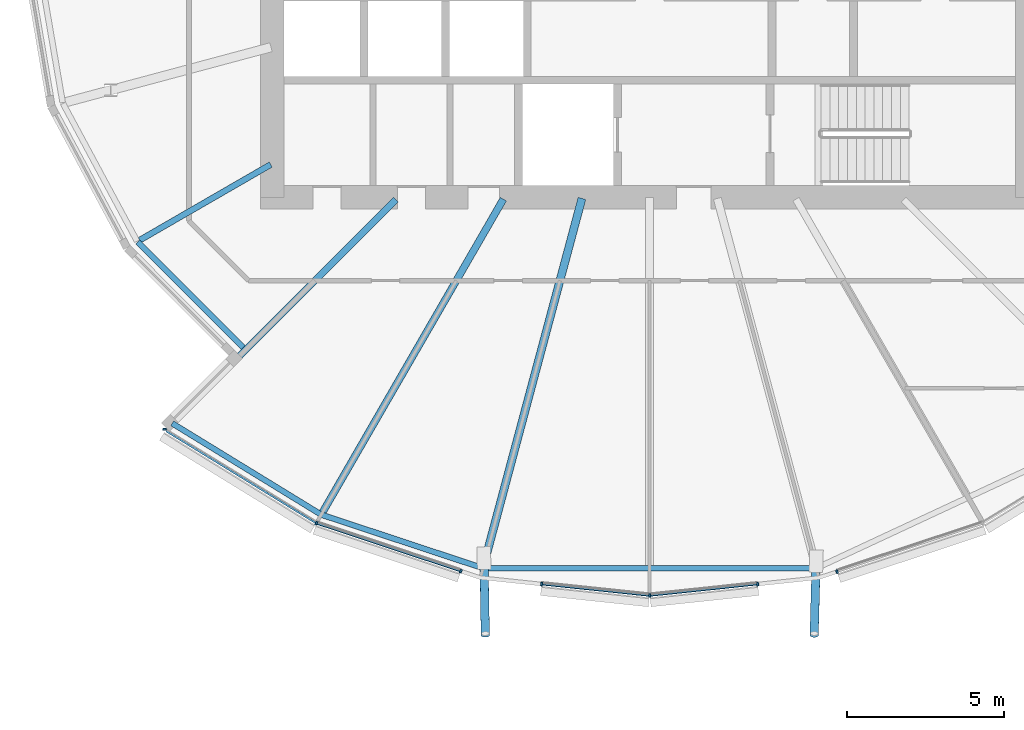
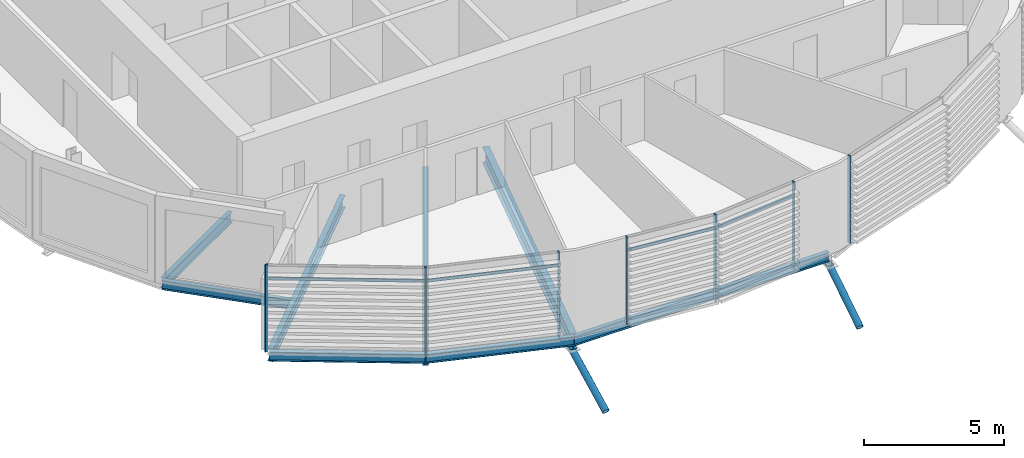
# One storey, part 3 of 38: 13 members, 8 beams, 1 element without a shape of its own.
"""IFC4 building model written with IfcOpenShell, lengths in metres."""

from ifc_helpers import new_model, si_unit, direction, frame, origin, origin_2d, place, context, subcontext, project, spatial, rectangle, hollow_circle, i_section, extrude, clip, halfspace, material, material_profile, profile_set, type_object, element, aggregate, save


model = new_model("IFC4")

# Units and contexts
model_context = context("Model", 3, precision=1e-05, world=origin(), true_north=direction((0.0, 1.0)))
body_context = subcontext(model_context, "Body", "Model", "MODEL_VIEW")
ifc_project = project(units=[si_unit("LENGTHUNIT", "METRE"), si_unit("AREAUNIT", "SQUARE_METRE"), si_unit("VOLUMEUNIT", "CUBIC_METRE"), si_unit("PLANEANGLEUNIT", "RADIAN"), si_unit("MASSUNIT", "GRAM", prefix="KILO")], contexts=[model_context])

# Site, building, storey
site_placement = place(None, origin())
site = spatial("IfcSite", under=ifc_project, at=site_placement, CompositionType="ELEMENT")
building_placement = place(site_placement, origin())
building = spatial("IfcBuilding", under=site, at=building_placement, Name="Rimbun Link Towers", CompositionType="ELEMENT")
storey_placement = place(building_placement, frame((0.0, 0.0, 119.60009765625)))
storey = spatial("IfcBuildingStorey", under=building, at=storey_placement, Name="L29", CompositionType="ELEMENT", Elevation=119.60009765625)

# Curtain wall, members
ifc_material_1 = material(Name="Aluminium 6063-T6 and low-iron glass", Category="aluminium")
curtain_wall_type = type_object("IfcCurtainWallType", Name="CW1-Z2 unitised vision wall (zone 2)", PredefinedType="NOTDEFINED", material=ifc_material_1)
curtain_wall_placement = place(storey_placement, origin())
curtain_wall = element("IfcCurtainWall", 1, at=curtain_wall_placement, inside=storey, type_object=curtain_wall_type, Name="CW1 L29 T1", PredefinedType="NOTDEFINED")
ifc_material_2 = material(Name="Aluminium 6063-T6", Category="aluminium")
ifc_material_profile_1 = material_profile(ifc_material_2, rectangle(XDim=0.1201171875, YDim=0.06005859375, at=origin_2d()), Name="MULLION 60X120")
ifc_profile_set_1 = profile_set([ifc_material_profile_1], Name="Aluminium 6063-T6")
member_type_1 = type_object("IfcMemberType", Name="CW1 mullion 60X120", PredefinedType="MULLION", material=ifc_profile_set_1)
member_1_placement = place(storey_placement, frame((-42.34619140625, -18.364013671875, 0.0), z_axis=(0.0, 0.0, 1.0), x_axis=(-0.421704717158, -0.9067332196, 0.0)))
member_1 = element("IfcMember", 2, at=member_1_placement, type_object=member_type_1, Name="CW1 mullion", PredefinedType="MULLION", context=body_context, shape_type="SweptSolid", body=[
    extrude(rectangle(XDim=0.1201171875, YDim=0.06005859375, at=origin_2d()), origin(), (0.0, 0.0, 1.0), 3.7998046875),
])
member_2_placement = place(storey_placement, frame((-47.17529296875, -15.37255859375, 0.0), z_axis=(0.0, 0.0, 1.0), x_axis=(-0.993119709488, -0.117103555137, 0.0)))
member_2 = element("IfcMember", 3, at=member_2_placement, type_object=member_type_1, Name="CW1 mullion", PredefinedType="MULLION", context=body_context, shape_type="SweptSolid", body=[
    extrude(rectangle(XDim=0.1201171875, YDim=0.06005859375, at=origin_2d()), origin(), (0.0, 0.0, 1.0), 3.7998046875),
])
member_3_placement = place(storey_placement, frame((-37.75390625, -19.88623046875, 0.0), z_axis=(0.0, 0.0, 1.0), x_axis=(-0.314563424855, -0.949236457235, 0.0)))
member_3 = element("IfcMember", 4, at=member_3_placement, type_object=member_type_1, Name="CW1 mullion", PredefinedType="MULLION", context=body_context, shape_type="SweptSolid", body=[
    extrude(rectangle(XDim=0.1201171875, YDim=0.06005859375, at=origin_2d()), origin(), (0.0, 0.0, 1.0), 3.7998046875),
])
member_4_placement = place(storey_placement, frame((-31.75, -20.6591796875, 0.0), z_axis=(0.0, 0.0, 1.0), x_axis=(0.0, -1.0, 0.0)))
member_4 = element("IfcMember", 5, at=member_4_placement, type_object=member_type_1, Name="CW1 mullion", PredefinedType="MULLION", context=body_context, shape_type="SweptSolid", body=[
    extrude(rectangle(XDim=0.1201171875, YDim=0.06005859375, at=origin_2d()), origin(), (0.0, 0.0, 1.0), 3.7998046875),
])
member_5_placement = place(storey_placement, frame((-35.18505859375, -20.297607421875, 0.0), z_axis=(0.0, 0.0, 1.0), x_axis=(-0.104748434017, -0.994498750915, 0.0)))
member_5 = element("IfcMember", 6, at=member_5_placement, type_object=member_type_1, Name="CW1 mullion", PredefinedType="MULLION", context=body_context, shape_type="SweptSolid", body=[
    extrude(rectangle(XDim=0.1201171875, YDim=0.06005859375, at=origin_2d()), origin(), (0.0, 0.0, 1.0), 3.7998046875),
])
member_6_placement = place(storey_placement, frame((-28.31494140625, -20.297607421875, 0.0), z_axis=(0.0, 0.0, 1.0), x_axis=(0.104748434017, -0.994498750915, 0.0)))
member_6 = element("IfcMember", 7, at=member_6_placement, type_object=member_type_1, Name="CW1 mullion", PredefinedType="MULLION", context=body_context, shape_type="SweptSolid", body=[
    extrude(rectangle(XDim=0.1201171875, YDim=0.06005859375, at=origin_2d()), origin(), (0.0, 0.0, 1.0), 3.7998046875),
])
member_7_placement = place(storey_placement, frame((-25.793701171875, -19.90185546875, 0.0), z_axis=(0.0, 0.0, 1.0), x_axis=(0.314563424855, -0.949236457235, 0.0)))
member_7 = element("IfcMember", 8, at=member_7_placement, type_object=member_type_1, Name="CW1 mullion", PredefinedType="MULLION", context=body_context, shape_type="SweptSolid", body=[
    extrude(rectangle(XDim=0.1201171875, YDim=0.06005859375, at=origin_2d()), origin(), (0.0, 0.0, 1.0), 3.7998046875),
])
ifc_material_3 = material(Name="Aluminium 6063-T6", Category="aluminium")
ifc_material_profile_2 = material_profile(ifc_material_3, rectangle(XDim=0.06005859375, YDim=0.1201171875, at=origin_2d()), Name="TRANSOM 60X120")
ifc_profile_set_2 = profile_set([ifc_material_profile_2], Name="Aluminium 6063-T6")
member_type_2 = type_object("IfcMemberType", Name="CW1 transom 60X120", PredefinedType="USERDEFINED", material=ifc_profile_set_2)
member_8_placement = place(storey_placement, frame((-42.376953125, -18.34326171875, 3.199951171875), z_axis=(-0.852172941328, 0.523260239335, 0.0), x_axis=(-0.523260239335, -0.852172941328, 0.0)))
member_8 = element("IfcMember", 9, at=member_8_placement, type_object=member_type_2, Name="CW1 transom", ObjectType="TRANSOM", PredefinedType="USERDEFINED", context=body_context, shape_type="SweptSolid", body=[
    extrude(rectangle(XDim=0.06005859375, YDim=0.1201171875, at=origin_2d()), origin(), (0.0, 0.0, 1.0), 5.566162109375),
])
member_9_placement = place(storey_placement, frame((-37.78173828125, -19.874755859375, 3.199951171875), z_axis=(-0.949244659323, 0.314538672894, 0.0), x_axis=(-0.314538672894, -0.949244659323, 0.0)))
member_9 = element("IfcMember", 10, at=member_9_placement, type_object=member_type_2, Name="CW1 transom", ObjectType="TRANSOM", PredefinedType="USERDEFINED", context=body_context, shape_type="SweptSolid", body=[
    extrude(rectangle(XDim=0.06005859375, YDim=0.1201171875, at=origin_2d()), origin(), (0.0, 0.0, 1.0), 4.771240234375),
])
member_10_placement = place(storey_placement, frame((-31.785888671875, -20.653564453125, 3.199951171875), z_axis=(-0.994502688422, 0.104711043933, 0.0), x_axis=(-0.104711043933, -0.994502688422, 0.0)))
member_10 = element("IfcMember", 11, at=member_10_placement, type_object=member_type_2, Name="CW1 transom", ObjectType="TRANSOM", PredefinedType="USERDEFINED", context=body_context, shape_type="SweptSolid", body=[
    extrude(rectangle(XDim=0.06005859375, YDim=0.1201171875, at=origin_2d()), origin(), (0.0, 0.0, 1.0), 3.3876953125),
])
member_11_placement = place(storey_placement, frame((-28.344970703125, -20.298828125, 3.199951171875), z_axis=(-0.994502688422, -0.104711043933, 0.0), x_axis=(0.104711043933, -0.994502688422, 0.0)))
member_11 = element("IfcMember", 12, at=member_11_placement, type_object=member_type_2, Name="CW1 transom", ObjectType="TRANSOM", PredefinedType="USERDEFINED", context=body_context, shape_type="SweptSolid", body=[
    extrude(rectangle(XDim=0.06005859375, YDim=0.1201171875, at=origin_2d()), origin(), (0.0, 0.0, 1.0), 3.3876953125),
])
aggregate(curtain_wall, [member_1, member_2, member_3, member_4, member_5, member_6, member_7, member_8, member_9, member_10, member_11])

# Members
ifc_material_4 = material(Name="Steel S355J2H", Category="steel")
ifc_material_profile_3 = material_profile(ifc_material_4, hollow_circle(Radius=0.136474609375, WallThickness=0.012451171875, at=origin_2d()), Name="CHS 273x12.5")
ifc_profile_set_3 = profile_set([ifc_material_profile_3], Name="Steel S355J2H")
member_type_3 = type_object("IfcMemberType", Name="Floor edge link CHS 273x12.5", PredefinedType="BRACE", material=ifc_profile_set_3)
member_12_placement = place(storey_placement, frame((-37.01611328125, -19.65380859375, -0.962890625), z_axis=(0.015206623661, -0.876411558686, -0.481322696741), x_axis=(0.999849505247, 0.017348396416, 0.0)))
element("IfcMember", 13, at=member_12_placement, inside=storey, type_object=member_type_3, Name="Floor edge link T1 L29 17", PredefinedType="BRACE", context=body_context, shape_type="Clipping", body=[
    clip(extrude(hollow_circle(Radius=0.136474609375, WallThickness=0.012451171875, at=origin_2d()), frame((0.0, 0.0, -0.51806640625)), (0.0, 0.0, 1.0), 3.102783203125), halfspace(frame((0.0, 0.0, -0.24365234375), z_axis=(0.0, 0.87654347388, -0.481322696741)), False)),
])
member_13_placement = place(storey_placement, frame((-26.46044921875, -19.740966796875, -0.9619140625), z_axis=(-0.023737253194, -0.869133688655, -0.494007261136), x_axis=(0.999627252375, -0.027301214415, 0.0)))
element("IfcMember", 14, at=member_13_placement, inside=storey, type_object=member_type_3, Name="Floor edge link T1 L29 19", PredefinedType="BRACE", context=body_context, shape_type="Clipping", body=[
    clip(extrude(hollow_circle(Radius=0.136474609375, WallThickness=0.012451171875, at=origin_2d()), frame((0.0, 0.0, -0.500732421875)), (0.0, 0.0, 1.0), 3.01025390625), halfspace(frame((0.0, 0.0, -0.2353515625), z_axis=(0.0, 0.869457776976, -0.494007261136)), False)),
])

# Beams
ifc_material_5 = material(Name="Steel S355J2", Category="steel")
ifc_material_profile_4 = material_profile(ifc_material_5, i_section(OverallWidth=0.177978515625, OverallDepth=0.406494140625, WebThickness=0.0078125, FlangeThickness=0.0126953125, at=origin_2d()), Name="UB 406x178x60")
ifc_profile_set_4 = profile_set([ifc_material_profile_4], Name="Steel S355J2")
beam_type_1 = type_object("IfcBeamType", Name="UB 406x178x60", PredefinedType="BEAM", material=ifc_profile_set_4)
beam_1_placement = place(storey_placement, frame((-48.031494140625, -9.416015625, -0.36328125), z_axis=(0.706926826369, -0.707286690218, 0.0), x_axis=(0.707286690218, 0.706926826369, 0.0)))
element("IfcBeam", 15, at=beam_1_placement, inside=storey, type_object=beam_type_1, Name="Edge beam T1 L29 14 recess", PredefinedType="BEAM", context=body_context, shape_type="SweptSolid", body=[
    extrude(i_section(OverallWidth=0.177978515625, OverallDepth=0.406494140625, WebThickness=0.0078125, FlangeThickness=0.0126953125, at=origin_2d()), origin(), (0.0, 0.0, 1.0), 4.7490234375),
])
beam_2_placement = place(storey_placement, frame((-46.93310546875, -15.184326171875, -0.36328125), z_axis=(0.852679673858, -0.522434085593, 0.0), x_axis=(0.522434085593, 0.852679673858, 0.0)))
element("IfcBeam", 16, at=beam_2_placement, inside=storey, type_object=beam_type_1, Name="Edge beam T1 L29 15", PredefinedType="BEAM", context=body_context, shape_type="SweptSolid", body=[
    extrude(i_section(OverallWidth=0.177978515625, OverallDepth=0.406494140625, WebThickness=0.0078125, FlangeThickness=0.0126953125, at=origin_2d()), origin(), (0.0, 0.0, 1.0), 5.54736328125),
])
beam_3_placement = place(storey_placement, frame((-42.1826171875, -18.092041015625, -0.36328125), z_axis=(0.949399372153, -0.314071380669, 0.0), x_axis=(0.314071380669, 0.949399372153, 0.0)))
element("IfcBeam", 17, at=beam_3_placement, inside=storey, type_object=beam_type_1, Name="Edge beam T1 L29 16", PredefinedType="BEAM", context=body_context, shape_type="SweptSolid", body=[
    extrude(i_section(OverallWidth=0.177978515625, OverallDepth=0.406494140625, WebThickness=0.0078125, FlangeThickness=0.0126953125, at=origin_2d()), origin(), (0.0, 0.0, 1.0), 5.402587890625),
])
beam_4_placement = place(storey_placement, frame((-37.051513671875, -19.789306640625, -0.36328125), z_axis=(1.0, 0.0, 0.0), x_axis=(0.0, 1.0, 0.0)))
element("IfcBeam", 18, at=beam_4_placement, inside=storey, type_object=beam_type_1, Name="Edge beam T1 L29 17-19", PredefinedType="BEAM", context=body_context, shape_type="SweptSolid", body=[
    extrude(i_section(OverallWidth=0.177978515625, OverallDepth=0.406494140625, WebThickness=0.0078125, FlangeThickness=0.0126953125, at=origin_2d()), origin(), (0.0, 0.0, 1.0), 10.4716796875),
])
ifc_material_6 = material(Name="Steel S355J2", Category="steel")
ifc_material_profile_5 = material_profile(ifc_material_6, i_section(OverallWidth=0.18994140625, OverallDepth=0.453369140625, WebThickness=0.008544921875, FlangeThickness=0.0126953125, at=origin_2d()), Name="UB 457x191x67")
ifc_profile_set_5 = profile_set([ifc_material_profile_5], Name="Steel S355J2")
beam_type_2 = type_object("IfcBeamType", Name="UB 457x191x67", PredefinedType="BEAM", material=ifc_profile_set_5)
beam_5_placement = place(storey_placement, frame((-43.79833984375, -6.9560546875, -0.38671875), z_axis=(-0.866025804792, -0.499999305434, 0.0), x_axis=(0.499999305434, -0.866025804792, 0.0)))
element("IfcBeam", 19, at=beam_5_placement, inside=storey, type_object=beam_type_2, Name="Radial beam T1 L29 14", PredefinedType="BEAM", context=body_context, shape_type="SweptSolid", body=[
    extrude(i_section(OverallWidth=0.18994140625, OverallDepth=0.453369140625, WebThickness=0.008544921875, FlangeThickness=0.0126953125, at=origin_2d()), origin(), (0.0, 0.0, 1.0), 4.80908203125),
])
ifc_material_7 = material(Name="Steel S355J2", Category="steel")
ifc_material_profile_6 = material_profile(ifc_material_7, i_section(OverallWidth=0.209228515625, OverallDepth=0.533203125, WebThickness=0.010009765625, FlangeThickness=0.015625, at=origin_2d()), Name="UB 533x210x92")
ifc_profile_set_6 = profile_set([ifc_material_profile_6], Name="Steel S355J2")
beam_type_3 = type_object("IfcBeamType", Name="UB 533x210x92", PredefinedType="BEAM", material=ifc_profile_set_6)
beam_6_placement = place(storey_placement, frame((-39.82470703125, -8.07470703125, -0.426513671875), z_axis=(-0.707106781187, -0.707106781187, 0.0), x_axis=(0.707106781187, -0.707106781187, 0.0)))
element("IfcBeam", 20, at=beam_6_placement, inside=storey, type_object=beam_type_3, Name="Radial beam T1 L29 15", PredefinedType="BEAM", context=body_context, shape_type="SweptSolid", body=[
    extrude(i_section(OverallWidth=0.209228515625, OverallDepth=0.533203125, WebThickness=0.010009765625, FlangeThickness=0.015625, at=origin_2d()), origin(), (0.0, 0.0, 1.0), 9.961181640625),
])
ifc_material_8 = material(Name="Steel S355J2", Category="steel")
ifc_material_profile_7 = material_profile(ifc_material_8, i_section(OverallWidth=0.2275390625, OverallDepth=0.6025390625, WebThickness=0.010498046875, FlangeThickness=0.014892578125, at=origin_2d()), Name="UB 610x229x101")
ifc_profile_set_7 = profile_set([ifc_material_profile_7], Name="Steel S355J2")
beam_type_4 = type_object("IfcBeamType", Name="UB 610x229x101", PredefinedType="BEAM", material=ifc_profile_set_7)
beam_7_placement = place(storey_placement, frame((-36.402099609375, -8.057861328125, -0.46142578125), z_axis=(-0.500005039288, -0.866022494331, 0.0), x_axis=(0.866022494331, -0.500005039288, 0.0)))
element("IfcBeam", 21, at=beam_7_placement, inside=storey, type_object=beam_type_4, Name="Radial beam T1 L29 16", PredefinedType="BEAM", context=body_context, shape_type="SweptSolid", body=[
    extrude(i_section(OverallWidth=0.2275390625, OverallDepth=0.6025390625, WebThickness=0.010498046875, FlangeThickness=0.014892578125, at=origin_2d()), origin(), (0.0, 0.0, 1.0), 11.4921875),
])
ifc_material_9 = material(Name="Steel S355J2", Category="steel")
ifc_material_profile_8 = material_profile(ifc_material_9, i_section(OverallWidth=0.253662109375, OverallDepth=0.68359375, WebThickness=0.012451171875, FlangeThickness=0.01904296875, at=origin_2d()), Name="UB 686x254x140")
ifc_profile_set_8 = profile_set([ifc_material_profile_8], Name="Steel S355J2")
beam_type_5 = type_object("IfcBeamType", Name="UB 686x254x140", PredefinedType="BEAM", material=ifc_profile_set_8)
beam_8_placement = place(storey_placement, frame((-33.902587890625, -8.03369140625, -0.501953125), z_axis=(-0.25883104329, -0.965922611305, 0.0), x_axis=(0.965922611305, -0.25883104329, 0.0)))
element("IfcBeam", 22, at=beam_8_placement, inside=storey, type_object=beam_type_5, Name="Radial beam T1 L29 17", PredefinedType="BEAM", context=body_context, shape_type="SweptSolid", body=[
    extrude(i_section(OverallWidth=0.253662109375, OverallDepth=0.68359375, WebThickness=0.012451171875, FlangeThickness=0.01904296875, at=origin_2d()), origin(), (0.0, 0.0, 1.0), 12.080078125),
])

save(model, "model.ifc")
